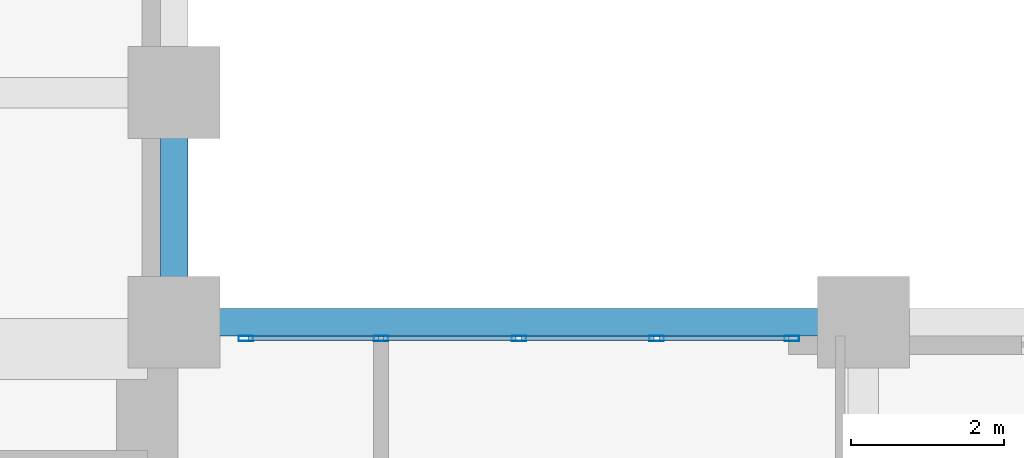
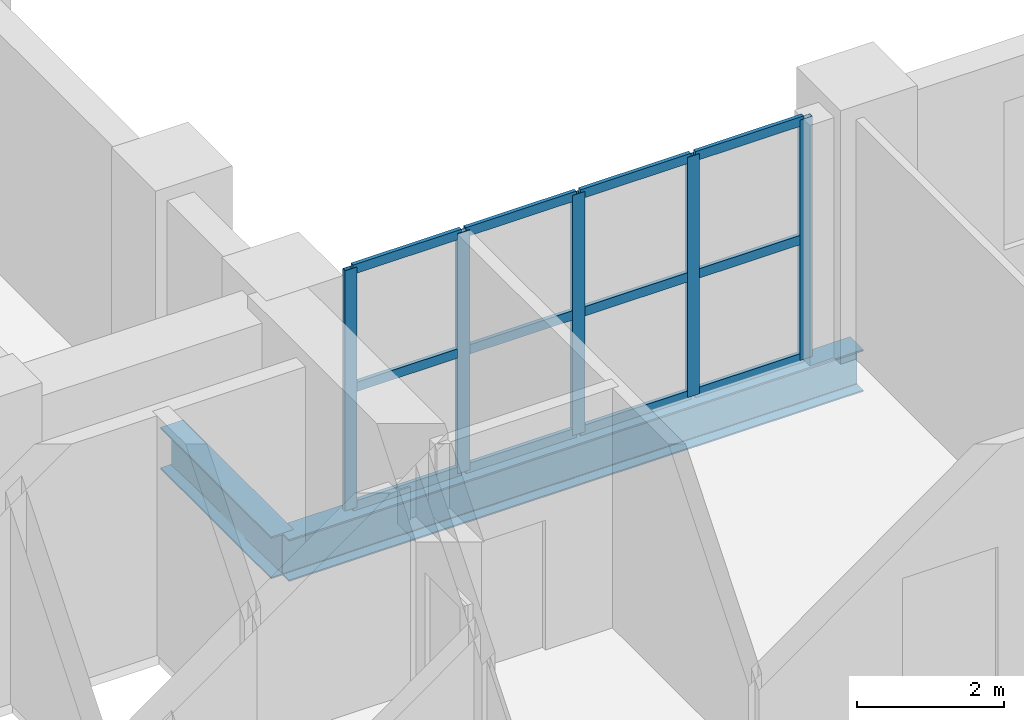
# One storey, part 2 of 9: 17 members, 2 beams, 1 element without a shape of its own.
"""IFC4 building model written with IfcOpenShell, lengths in metres."""

from ifc_helpers import new_model, si_unit, direction, frame, origin, origin_2d, place, context, subcontext, project, spatial, hollow_rectangle, i_section, extrude, material, layer, layer_set, material_profile, profile_set, type_object, element, aggregate, save


model = new_model("IFC4")

# Units and contexts
model_context = context("Model", 3, precision=1e-05, world=origin(), true_north=direction((0.0, 1.0)))
body_context = subcontext(model_context, "Body", "Model", "MODEL_VIEW")
ifc_project = project(units=[si_unit("LENGTHUNIT", "METRE"), si_unit("AREAUNIT", "SQUARE_METRE"), si_unit("VOLUMEUNIT", "CUBIC_METRE"), si_unit("PLANEANGLEUNIT", "RADIAN"), si_unit("MASSUNIT", "GRAM", prefix="KILO")], contexts=[model_context])

# Site, building, storey
site_placement = place(None, origin())
site = spatial("IfcSite", under=ifc_project, at=site_placement, CompositionType="ELEMENT")
building_placement = place(site_placement, origin())
building = spatial("IfcBuilding", under=site, at=building_placement, Name="Mawjdan Bourse Tower", CompositionType="ELEMENT")
storey_placement = place(building_placement, frame((0.0, 0.0, 51.0)))
storey = spatial("IfcBuildingStorey", under=building, at=storey_placement, Name="L11", CompositionType="ELEMENT", Elevation=51.0)

# Curtain wall, members
ifc_material_1 = material(Name="Thermally Broken Aluminium and Solar Glass", Category="aluminium")
ifc_layer = layer(ifc_material_1, 0.219970703125)
ifc_layer_set = layer_set([ifc_layer], Name="Thermally Broken Aluminium and Solar Glass")
curtain_wall_type = type_object("IfcCurtainWallType", Name="CW-ATR", PredefinedType="USERDEFINED", material=ifc_layer_set)
curtain_wall_placement = place(storey_placement, origin())
curtain_wall = element("IfcCurtainWall", 1, at=curtain_wall_placement, inside=storey, type_object=curtain_wall_type, Name="L11 Northeast Atrium Court Curtain Wall", ObjectType="ATRIUM GLAZED CURTAIN WALL", PredefinedType="USERDEFINED")
ifc_material_2 = material(Name="Thermally Broken Anodised Aluminium", Category="aluminium")
ifc_material_profile_1 = material_profile(ifc_material_2, hollow_rectangle(XDim=0.070068359375, YDim=0.18994140625, WallThickness=0.00439453125, at=origin_2d()), Name="ALU-MUL-190X70")
ifc_profile_set_1 = profile_set([ifc_material_profile_1], Name="Thermally Broken Anodised Aluminium")
member_type_1 = type_object("IfcMemberType", Name="MUL-ALU-MUL-190X70", PredefinedType="MULLION", material=ifc_profile_set_1)
member_1_placement = place(storey_placement, frame((32.06494140625, 20.7900390625, 0.0), z_axis=(0.0, 0.0, 1.0), x_axis=(0.0, -1.0, 0.0)))
member_1 = element("IfcMember", 2, at=member_1_placement, type_object=member_type_1, Name="CW-ATR-L11-ATR-NE mullion 1", PredefinedType="MULLION", context=body_context, shape_type="SweptSolid", body=[
    extrude(hollow_rectangle(XDim=0.070068359375, YDim=0.18994140625, WallThickness=0.00439453125, at=origin_2d()), origin(), (0.0, 0.0, 1.0), 3.97998046875),
])
member_2_placement = place(storey_placement, frame((30.300048828125, 20.7900390625, 0.0), z_axis=(0.0, 0.0, 1.0), x_axis=(0.0, -1.0, 0.0)))
member_2 = element("IfcMember", 3, at=member_2_placement, type_object=member_type_1, Name="CW-ATR-L11-ATR-NE mullion 2", PredefinedType="MULLION", context=body_context, shape_type="SweptSolid", body=[
    extrude(hollow_rectangle(XDim=0.070068359375, YDim=0.18994140625, WallThickness=0.00439453125, at=origin_2d()), origin(), (0.0, 0.0, 1.0), 3.97998046875),
])
member_3_placement = place(storey_placement, frame((28.5, 20.7900390625, 0.0), z_axis=(0.0, 0.0, 1.0), x_axis=(0.0, -1.0, 0.0)))
member_3 = element("IfcMember", 4, at=member_3_placement, type_object=member_type_1, Name="CW-ATR-L11-ATR-NE mullion 3", PredefinedType="MULLION", context=body_context, shape_type="SweptSolid", body=[
    extrude(hollow_rectangle(XDim=0.070068359375, YDim=0.18994140625, WallThickness=0.00439453125, at=origin_2d()), origin(), (0.0, 0.0, 1.0), 3.97998046875),
])
member_4_placement = place(storey_placement, frame((26.699951171875, 20.7900390625, 0.0), z_axis=(0.0, 0.0, 1.0), x_axis=(0.0, -1.0, 0.0)))
member_4 = element("IfcMember", 5, at=member_4_placement, type_object=member_type_1, Name="CW-ATR-L11-ATR-NE mullion 4", PredefinedType="MULLION", context=body_context, shape_type="SweptSolid", body=[
    extrude(hollow_rectangle(XDim=0.070068359375, YDim=0.18994140625, WallThickness=0.00439453125, at=origin_2d()), origin(), (0.0, 0.0, 1.0), 3.97998046875),
])
member_5_placement = place(storey_placement, frame((24.93505859375, 20.7900390625, 0.0), z_axis=(0.0, 0.0, 1.0), x_axis=(0.0, -1.0, 0.0)))
member_5 = element("IfcMember", 6, at=member_5_placement, type_object=member_type_1, Name="CW-ATR-L11-ATR-NE mullion 5", PredefinedType="MULLION", context=body_context, shape_type="SweptSolid", body=[
    extrude(hollow_rectangle(XDim=0.070068359375, YDim=0.18994140625, WallThickness=0.00439453125, at=origin_2d()), origin(), (0.0, 0.0, 1.0), 3.97998046875),
])

# Beams
ifc_material_3 = material(Name="Structural Steel S355", Category="steel")
ifc_material_profile_2 = material_profile(ifc_material_3, i_section(OverallWidth=0.35498046875, OverallDepth=0.696044921875, WebThickness=0.015380859375, FlangeThickness=0.02490234375, FilletRadius=0.019775390625, at=origin_2d()), Name="W27X146")
ifc_profile_set_2 = profile_set([ifc_material_profile_2], Name="Structural Steel S355")
beam_type = type_object("IfcBeamType", Name="SPN-W27X146", PredefinedType="SPANDREL", material=ifc_profile_set_2)
beam_1_placement = place(storey_placement, frame((24.0, 21.0, -0.568115234375), z_axis=(1.0, 0.0, 0.0), x_axis=(0.0, 1.0, 0.0)))
element("IfcBeam", 7, at=beam_1_placement, inside=storey, type_object=beam_type, Name="L11 Perimeter Masonry-Shelf Spandrel 018", PredefinedType="SPANDREL", context=body_context, shape_type="SweptSolid", body=[
    extrude(i_section(OverallWidth=0.35498046875, OverallDepth=0.696044921875, WebThickness=0.015380859375, FlangeThickness=0.02490234375, FilletRadius=0.019775390625, at=origin_2d()), origin(), (0.0, 0.0, 1.0), 9.0),
])
beam_2_placement = place(storey_placement, frame((24.0, 21.0, -0.568115234375), z_axis=(0.0, 1.0, 0.0), x_axis=(-1.0, 0.0, 0.0)))
element("IfcBeam", 8, at=beam_2_placement, inside=storey, type_object=beam_type, Name="L11 North Wing Spandrel 083", PredefinedType="SPANDREL", context=body_context, shape_type="SweptSolid", body=[
    extrude(i_section(OverallWidth=0.35498046875, OverallDepth=0.696044921875, WebThickness=0.015380859375, FlangeThickness=0.02490234375, FilletRadius=0.019775390625, at=origin_2d()), origin(), (0.0, 0.0, 1.0), 3.0),
])

# Member
ifc_material_profile_3 = material_profile(ifc_material_2, hollow_rectangle(XDim=0.06005859375, YDim=0.155029296875, WallThickness=0.00390625, at=origin_2d()), Name="ALU-TRN-155X60")
ifc_profile_set_3 = profile_set([ifc_material_profile_3], Name="Thermally Broken Anodised Aluminium")
member_type_2 = type_object("IfcMemberType", Name="TRN-ALU-TRN-155X60", PredefinedType="USERDEFINED", material=ifc_profile_set_3)
member_6_placement = place(storey_placement, frame((32.030029296875, 20.7900390625, 0.030029296875), z_axis=(-1.0, 0.0, 0.0), x_axis=(0.0, -1.0, 0.0)))
member_6 = element("IfcMember", 9, at=member_6_placement, type_object=member_type_2, Name="CW-ATR-L11-ATR-NE transom 1.1", ObjectType="TRANSOM", PredefinedType="USERDEFINED", context=body_context, shape_type="SweptSolid", body=[
    extrude(hollow_rectangle(XDim=0.06005859375, YDim=0.155029296875, WallThickness=0.00390625, at=origin_2d()), origin(), (0.0, 0.0, 1.0), 1.695068359375),
])

member_7_placement = place(storey_placement, frame((32.030029296875, 20.7900390625, 1.989990234375), z_axis=(-1.0, 0.0, 0.0), x_axis=(0.0, -1.0, 0.0)))
member_7 = element("IfcMember", 10, at=member_7_placement, type_object=member_type_2, Name="CW-ATR-L11-ATR-NE transom 1.2", ObjectType="TRANSOM", PredefinedType="USERDEFINED", context=body_context, shape_type="SweptSolid", body=[
    extrude(hollow_rectangle(XDim=0.06005859375, YDim=0.155029296875, WallThickness=0.00390625, at=origin_2d()), origin(), (0.0, 0.0, 1.0), 1.695068359375),
])

member_8_placement = place(storey_placement, frame((32.030029296875, 20.7900390625, 3.949951171875), z_axis=(-1.0, 0.0, 0.0), x_axis=(0.0, -1.0, 0.0)))
member_8 = element("IfcMember", 11, at=member_8_placement, type_object=member_type_2, Name="CW-ATR-L11-ATR-NE transom 1.3", ObjectType="TRANSOM", PredefinedType="USERDEFINED", context=body_context, shape_type="SweptSolid", body=[
    extrude(hollow_rectangle(XDim=0.06005859375, YDim=0.155029296875, WallThickness=0.00390625, at=origin_2d()), origin(), (0.0, 0.0, 1.0), 1.695068359375),
])

member_9_placement = place(storey_placement, frame((30.264892578125, 20.7900390625, 0.030029296875), z_axis=(-1.0, 0.0, 0.0), x_axis=(0.0, -1.0, 0.0)))
member_9 = element("IfcMember", 12, at=member_9_placement, type_object=member_type_2, Name="CW-ATR-L11-ATR-NE transom 2.1", ObjectType="TRANSOM", PredefinedType="USERDEFINED", context=body_context, shape_type="SweptSolid", body=[
    extrude(hollow_rectangle(XDim=0.06005859375, YDim=0.155029296875, WallThickness=0.00390625, at=origin_2d()), origin(), (0.0, 0.0, 1.0), 1.72998046875),
])

member_10_placement = place(storey_placement, frame((30.264892578125, 20.7900390625, 1.989990234375), z_axis=(-1.0, 0.0, 0.0), x_axis=(0.0, -1.0, 0.0)))
member_10 = element("IfcMember", 13, at=member_10_placement, type_object=member_type_2, Name="CW-ATR-L11-ATR-NE transom 2.2", ObjectType="TRANSOM", PredefinedType="USERDEFINED", context=body_context, shape_type="SweptSolid", body=[
    extrude(hollow_rectangle(XDim=0.06005859375, YDim=0.155029296875, WallThickness=0.00390625, at=origin_2d()), origin(), (0.0, 0.0, 1.0), 1.72998046875),
])

member_11_placement = place(storey_placement, frame((30.264892578125, 20.7900390625, 3.949951171875), z_axis=(-1.0, 0.0, 0.0), x_axis=(0.0, -1.0, 0.0)))
member_11 = element("IfcMember", 14, at=member_11_placement, type_object=member_type_2, Name="CW-ATR-L11-ATR-NE transom 2.3", ObjectType="TRANSOM", PredefinedType="USERDEFINED", context=body_context, shape_type="SweptSolid", body=[
    extrude(hollow_rectangle(XDim=0.06005859375, YDim=0.155029296875, WallThickness=0.00390625, at=origin_2d()), origin(), (0.0, 0.0, 1.0), 1.72998046875),
])

member_12_placement = place(storey_placement, frame((28.465087890625, 20.7900390625, 0.030029296875), z_axis=(-1.0, 0.0, 0.0), x_axis=(0.0, -1.0, 0.0)))
member_12 = element("IfcMember", 15, at=member_12_placement, type_object=member_type_2, Name="CW-ATR-L11-ATR-NE transom 3.1", ObjectType="TRANSOM", PredefinedType="USERDEFINED", context=body_context, shape_type="SweptSolid", body=[
    extrude(hollow_rectangle(XDim=0.06005859375, YDim=0.155029296875, WallThickness=0.00390625, at=origin_2d()), origin(), (0.0, 0.0, 1.0), 1.72998046875),
])

member_13_placement = place(storey_placement, frame((28.465087890625, 20.7900390625, 1.989990234375), z_axis=(-1.0, 0.0, 0.0), x_axis=(0.0, -1.0, 0.0)))
member_13 = element("IfcMember", 16, at=member_13_placement, type_object=member_type_2, Name="CW-ATR-L11-ATR-NE transom 3.2", ObjectType="TRANSOM", PredefinedType="USERDEFINED", context=body_context, shape_type="SweptSolid", body=[
    extrude(hollow_rectangle(XDim=0.06005859375, YDim=0.155029296875, WallThickness=0.00390625, at=origin_2d()), origin(), (0.0, 0.0, 1.0), 1.72998046875),
])

member_14_placement = place(storey_placement, frame((28.465087890625, 20.7900390625, 3.949951171875), z_axis=(-1.0, 0.0, 0.0), x_axis=(0.0, -1.0, 0.0)))
member_14 = element("IfcMember", 17, at=member_14_placement, type_object=member_type_2, Name="CW-ATR-L11-ATR-NE transom 3.3", ObjectType="TRANSOM", PredefinedType="USERDEFINED", context=body_context, shape_type="SweptSolid", body=[
    extrude(hollow_rectangle(XDim=0.06005859375, YDim=0.155029296875, WallThickness=0.00390625, at=origin_2d()), origin(), (0.0, 0.0, 1.0), 1.72998046875),
])

member_15_placement = place(storey_placement, frame((26.6650390625, 20.7900390625, 0.030029296875), z_axis=(-1.0, 0.0, 0.0), x_axis=(0.0, -1.0, 0.0)))
member_15 = element("IfcMember", 18, at=member_15_placement, type_object=member_type_2, Name="CW-ATR-L11-ATR-NE transom 4.1", ObjectType="TRANSOM", PredefinedType="USERDEFINED", context=body_context, shape_type="SweptSolid", body=[
    extrude(hollow_rectangle(XDim=0.06005859375, YDim=0.155029296875, WallThickness=0.00390625, at=origin_2d()), origin(), (0.0, 0.0, 1.0), 1.695068359375),
])

member_16_placement = place(storey_placement, frame((26.6650390625, 20.7900390625, 1.989990234375), z_axis=(-1.0, 0.0, 0.0), x_axis=(0.0, -1.0, 0.0)))
member_16 = element("IfcMember", 19, at=member_16_placement, type_object=member_type_2, Name="CW-ATR-L11-ATR-NE transom 4.2", ObjectType="TRANSOM", PredefinedType="USERDEFINED", context=body_context, shape_type="SweptSolid", body=[
    extrude(hollow_rectangle(XDim=0.06005859375, YDim=0.155029296875, WallThickness=0.00390625, at=origin_2d()), origin(), (0.0, 0.0, 1.0), 1.695068359375),
])

member_17_placement = place(storey_placement, frame((26.6650390625, 20.7900390625, 3.949951171875), z_axis=(-1.0, 0.0, 0.0), x_axis=(0.0, -1.0, 0.0)))
member_17 = element("IfcMember", 20, at=member_17_placement, type_object=member_type_2, Name="CW-ATR-L11-ATR-NE transom 4.3", ObjectType="TRANSOM", PredefinedType="USERDEFINED", context=body_context, shape_type="SweptSolid", body=[
    extrude(hollow_rectangle(XDim=0.06005859375, YDim=0.155029296875, WallThickness=0.00390625, at=origin_2d()), origin(), (0.0, 0.0, 1.0), 1.695068359375),
])

aggregate(curtain_wall, [member_1, member_2, member_3, member_4, member_5, member_6, member_7, member_8, member_9, member_10, member_11, member_12, member_13, member_14, member_15, member_16, member_17])

save(model, "model.ifc")
